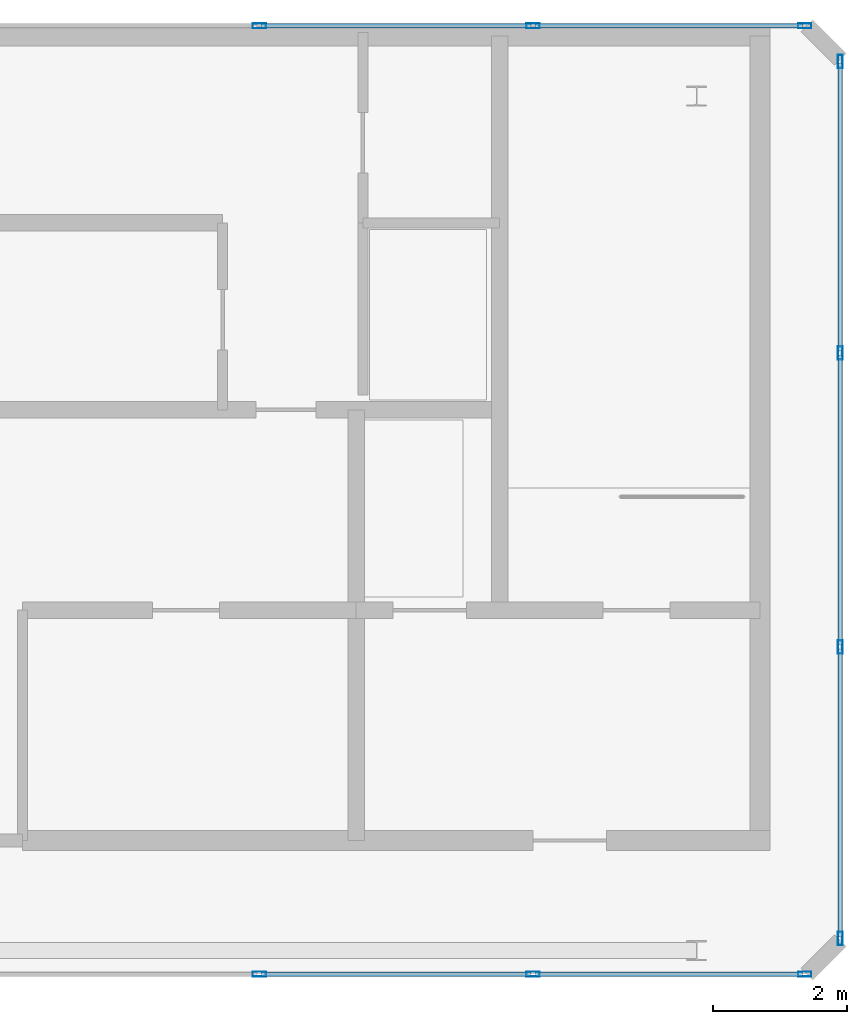
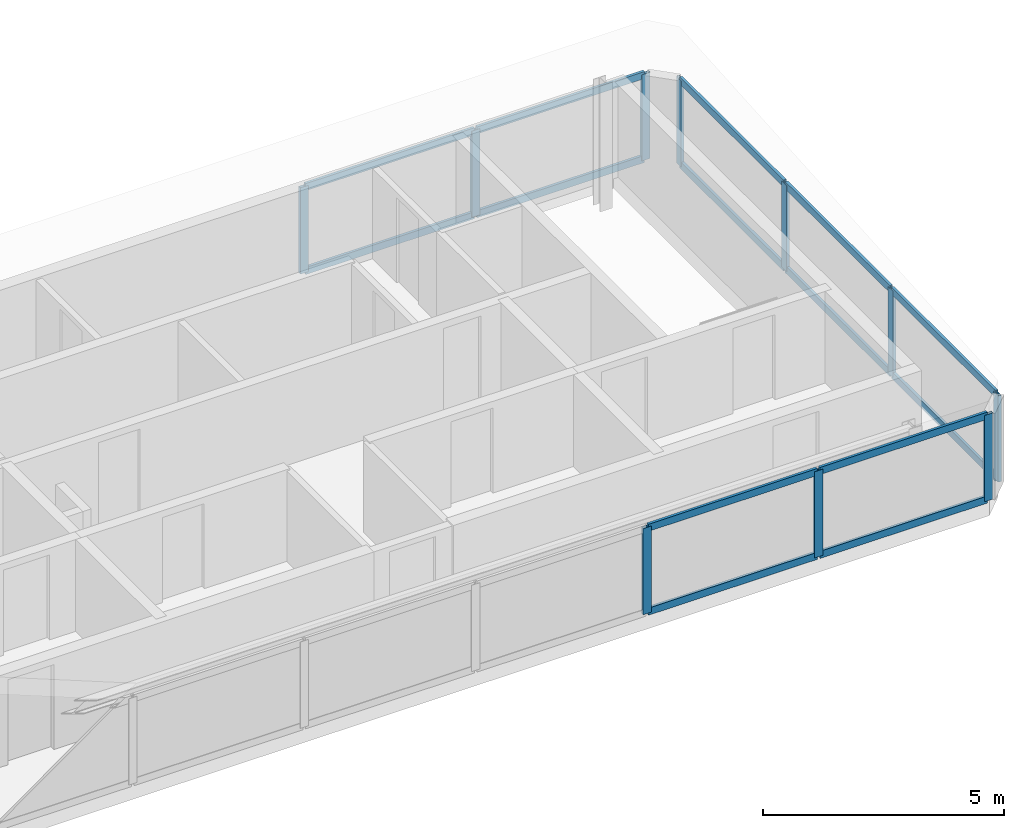
# One storey, part 6 of 9: 24 members, 3 elements without a shape of their own.
"""IFC4 building model written with IfcOpenShell, lengths in metres."""

from ifc_helpers import new_model, si_unit, direction, frame, origin, origin_2d, place, context, subcontext, project, spatial, hollow_rectangle, extrude, material, layer, layer_set, material_profile, profile_set, type_object, element, aggregate, save


model = new_model("IFC4")

# Units and contexts
model_context = context("Model", 3, precision=1e-05, world=origin(), true_north=direction((0.0, 1.0)))
body_context = subcontext(model_context, "Body", "Model", "MODEL_VIEW")
ifc_project = project(units=[si_unit("LENGTHUNIT", "METRE"), si_unit("AREAUNIT", "SQUARE_METRE"), si_unit("VOLUMEUNIT", "CUBIC_METRE"), si_unit("PLANEANGLEUNIT", "RADIAN"), si_unit("MASSUNIT", "GRAM", prefix="KILO")], contexts=[model_context])

# Site, building, storey
site_placement = place(None, origin())
site = spatial("IfcSite", under=ifc_project, at=site_placement, CompositionType="ELEMENT")
building_placement = place(site_placement, origin())
building = spatial("IfcBuilding", under=site, at=building_placement, Name="Catumbela Crestline Tower", CompositionType="ELEMENT")
storey_placement = place(building_placement, frame((0.0, 0.0, 318.5)))
storey = spatial("IfcBuildingStorey", under=building, at=storey_placement, Name="L82", CompositionType="ELEMENT", Elevation=318.5)

# Curtain wall, members
ifc_material = material(Name="Aluminium alloy AW-6060-T66", Category="aluminium")
ifc_layer = layer(ifc_material, 0.18, Name="Aluminium alloy AW-6060-T66")
ifc_layer_set = layer_set([ifc_layer], Name="Aluminium alloy AW-6060-T66")
curtain_wall_type = type_object("IfcCurtainWallType", Name="CWS-OBS", PredefinedType="USERDEFINED", material=ifc_layer_set)
curtain_wall_1_placement = place(storey_placement, origin())
curtain_wall_1 = element("IfcCurtainWall", 1, at=curtain_wall_1_placement, inside=storey, type_object=curtain_wall_type, Name="L82 Stick Curtain Wall CW-L82-E0S1", ObjectType="STICK", PredefinedType="USERDEFINED")
ifc_material_profile_1 = material_profile(ifc_material, hollow_rectangle(XDim=0.075, YDim=0.2, WallThickness=0.005, at=origin_2d()), Name="ALU 200x75x5")
ifc_profile_set_1 = profile_set([ifc_material_profile_1], Name="Aluminium alloy AW-6060-T66")
member_type_1 = type_object("IfcMemberType", Name="MUL-200X75", PredefinedType="MULLION", material=ifc_profile_set_1)
member_1_placement = place(storey_placement, frame((32.5, 28.8, 0.0), z_axis=(0.0, 0.0, 1.0), x_axis=(0.0, 1.0, 0.0)))
member_1 = element("IfcMember", 2, at=member_1_placement, type_object=member_type_1, Name="CWS-OBS mullion 5", PredefinedType="MULLION", context=body_context, shape_type="SweptSolid", body=[
    extrude(hollow_rectangle(XDim=0.075, YDim=0.2, WallThickness=0.005, at=origin_2d()), origin(), (0.0, 0.0, 1.0), 2.18),
])
member_2_placement = place(storey_placement, frame((36.6, 28.8, 0.0), z_axis=(0.0, 0.0, 1.0), x_axis=(0.0, 1.0, 0.0)))
member_2 = element("IfcMember", 3, at=member_2_placement, type_object=member_type_1, Name="CWS-OBS mullion 6", PredefinedType="MULLION", context=body_context, shape_type="SweptSolid", body=[
    extrude(hollow_rectangle(XDim=0.075, YDim=0.2, WallThickness=0.005, at=origin_2d()), origin(), (0.0, 0.0, 1.0), 2.18),
])
member_3_placement = place(storey_placement, frame((40.6675, 28.8, 0.0), z_axis=(0.0, 0.0, 1.0), x_axis=(0.0, 1.0, 0.0)))
member_3 = element("IfcMember", 4, at=member_3_placement, type_object=member_type_1, Name="CWS-OBS mullion 7", PredefinedType="MULLION", context=body_context, shape_type="SweptSolid", body=[
    extrude(hollow_rectangle(XDim=0.075, YDim=0.2, WallThickness=0.005, at=origin_2d()), origin(), (0.0, 0.0, 1.0), 2.18),
])

curtain_wall_2_placement = place(storey_placement, origin())
curtain_wall_2 = element("IfcCurtainWall", 5, at=curtain_wall_2_placement, inside=storey, type_object=curtain_wall_type, Name="L82 Stick Curtain Wall CW-L82-E2S1", ObjectType="STICK", PredefinedType="USERDEFINED")
member_4_placement = place(storey_placement, frame((41.2, 29.3325, 0.0), z_axis=(0.0, 0.0, 1.0), x_axis=(-1.0, 0.0, 0.0)))
member_4 = element("IfcMember", 6, at=member_4_placement, type_object=member_type_1, Name="CWS-OBS mullion 1", PredefinedType="MULLION", context=body_context, shape_type="SweptSolid", body=[
    extrude(hollow_rectangle(XDim=0.075, YDim=0.2, WallThickness=0.005, at=origin_2d()), origin(), (0.0, 0.0, 1.0), 2.18),
])
member_5_placement = place(storey_placement, frame((41.2, 33.7, 0.0), z_axis=(0.0, 0.0, 1.0), x_axis=(-1.0, 0.0, 0.0)))
member_5 = element("IfcMember", 7, at=member_5_placement, type_object=member_type_1, Name="CWS-OBS mullion 2", PredefinedType="MULLION", context=body_context, shape_type="SweptSolid", body=[
    extrude(hollow_rectangle(XDim=0.075, YDim=0.2, WallThickness=0.005, at=origin_2d()), origin(), (0.0, 0.0, 1.0), 2.18),
])
member_6_placement = place(storey_placement, frame((41.2, 38.1, 0.0), z_axis=(0.0, 0.0, 1.0), x_axis=(-1.0, 0.0, 0.0)))
member_6 = element("IfcMember", 8, at=member_6_placement, type_object=member_type_1, Name="CWS-OBS mullion 3", PredefinedType="MULLION", context=body_context, shape_type="SweptSolid", body=[
    extrude(hollow_rectangle(XDim=0.075, YDim=0.2, WallThickness=0.005, at=origin_2d()), origin(), (0.0, 0.0, 1.0), 2.18),
])
member_7_placement = place(storey_placement, frame((41.2, 42.4675, 0.0), z_axis=(0.0, 0.0, 1.0), x_axis=(-1.0, 0.0, 0.0)))
member_7 = element("IfcMember", 9, at=member_7_placement, type_object=member_type_1, Name="CWS-OBS mullion 4", PredefinedType="MULLION", context=body_context, shape_type="SweptSolid", body=[
    extrude(hollow_rectangle(XDim=0.075, YDim=0.2, WallThickness=0.005, at=origin_2d()), origin(), (0.0, 0.0, 1.0), 2.18),
])

curtain_wall_3_placement = place(storey_placement, origin())
curtain_wall_3 = element("IfcCurtainWall", 10, at=curtain_wall_3_placement, inside=storey, type_object=curtain_wall_type, Name="L82 Stick Curtain Wall CW-L82-E4S1", ObjectType="STICK", PredefinedType="USERDEFINED")
member_8_placement = place(storey_placement, frame((40.6675, 43.0, 0.0), z_axis=(0.0, 0.0, 1.0), x_axis=(0.0, -1.0, 0.0)))
member_8 = element("IfcMember", 11, at=member_8_placement, type_object=member_type_1, Name="CWS-OBS mullion 1", PredefinedType="MULLION", context=body_context, shape_type="SweptSolid", body=[
    extrude(hollow_rectangle(XDim=0.075, YDim=0.2, WallThickness=0.005, at=origin_2d()), origin(), (0.0, 0.0, 1.0), 2.18),
])
member_9_placement = place(storey_placement, frame((36.6, 43.0, 0.0), z_axis=(0.0, 0.0, 1.0), x_axis=(0.0, -1.0, 0.0)))
member_9 = element("IfcMember", 12, at=member_9_placement, type_object=member_type_1, Name="CWS-OBS mullion 2", PredefinedType="MULLION", context=body_context, shape_type="SweptSolid", body=[
    extrude(hollow_rectangle(XDim=0.075, YDim=0.2, WallThickness=0.005, at=origin_2d()), origin(), (0.0, 0.0, 1.0), 2.18),
])
member_10_placement = place(storey_placement, frame((32.5, 43.0, 0.0), z_axis=(0.0, 0.0, 1.0), x_axis=(0.0, -1.0, 0.0)))
member_10 = element("IfcMember", 13, at=member_10_placement, type_object=member_type_1, Name="CWS-OBS mullion 3", PredefinedType="MULLION", context=body_context, shape_type="SweptSolid", body=[
    extrude(hollow_rectangle(XDim=0.075, YDim=0.2, WallThickness=0.005, at=origin_2d()), origin(), (0.0, 0.0, 1.0), 2.18),
])

# Member
ifc_material_profile_2 = material_profile(ifc_material, hollow_rectangle(XDim=0.065, YDim=0.18, WallThickness=0.004, at=origin_2d()), Name="ALU 180x65x4")
ifc_profile_set_2 = profile_set([ifc_material_profile_2], Name="Aluminium alloy AW-6060-T66")
member_type_2 = type_object("IfcMemberType", Name="TRN-180X65", PredefinedType="USERDEFINED", material=ifc_profile_set_2)
member_11_placement = place(storey_placement, frame((32.5325, 28.8, 0.03), z_axis=(1.0, 0.0, 0.0), x_axis=(0.0, 1.0, 0.0)))
member_11 = element("IfcMember", 14, at=member_11_placement, type_object=member_type_2, Name="CWS-OBS transom 5.1", ObjectType="TRANSOM", PredefinedType="USERDEFINED", context=body_context, shape_type="SweptSolid", body=[
    extrude(hollow_rectangle(XDim=0.065, YDim=0.18, WallThickness=0.004, at=origin_2d()), origin(), (0.0, 0.0, 1.0), 4.035),
])

member_12_placement = place(storey_placement, frame((32.5325, 28.8, 2.15), z_axis=(1.0, 0.0, 0.0), x_axis=(0.0, 1.0, 0.0)))
member_12 = element("IfcMember", 15, at=member_12_placement, type_object=member_type_2, Name="CWS-OBS transom 5.2", ObjectType="TRANSOM", PredefinedType="USERDEFINED", context=body_context, shape_type="SweptSolid", body=[
    extrude(hollow_rectangle(XDim=0.065, YDim=0.18, WallThickness=0.004, at=origin_2d()), origin(), (0.0, 0.0, 1.0), 4.035),
])

member_13_placement = place(storey_placement, frame((36.6325, 28.8, 0.03), z_axis=(1.0, 0.0, 0.0), x_axis=(0.0, 1.0, 0.0)))
member_13 = element("IfcMember", 16, at=member_13_placement, type_object=member_type_2, Name="CWS-OBS transom 6.1", ObjectType="TRANSOM", PredefinedType="USERDEFINED", context=body_context, shape_type="SweptSolid", body=[
    extrude(hollow_rectangle(XDim=0.065, YDim=0.18, WallThickness=0.004, at=origin_2d()), origin(), (0.0, 0.0, 1.0), 4.0025),
])

member_14_placement = place(storey_placement, frame((36.6325, 28.8, 2.15), z_axis=(1.0, 0.0, 0.0), x_axis=(0.0, 1.0, 0.0)))
member_14 = element("IfcMember", 17, at=member_14_placement, type_object=member_type_2, Name="CWS-OBS transom 6.2", ObjectType="TRANSOM", PredefinedType="USERDEFINED", context=body_context, shape_type="SweptSolid", body=[
    extrude(hollow_rectangle(XDim=0.065, YDim=0.18, WallThickness=0.004, at=origin_2d()), origin(), (0.0, 0.0, 1.0), 4.0025),
])

aggregate(curtain_wall_1, [member_1, member_2, member_3, member_11, member_12, member_13, member_14])

member_15_placement = place(storey_placement, frame((41.2, 29.365, 0.03), z_axis=(0.0, 1.0, 0.0), x_axis=(-1.0, 0.0, 0.0)))
member_15 = element("IfcMember", 18, at=member_15_placement, type_object=member_type_2, Name="CWS-OBS transom 1.1", ObjectType="TRANSOM", PredefinedType="USERDEFINED", context=body_context, shape_type="SweptSolid", body=[
    extrude(hollow_rectangle(XDim=0.065, YDim=0.18, WallThickness=0.004, at=origin_2d()), origin(), (0.0, 0.0, 1.0), 4.3025),
])

member_16_placement = place(storey_placement, frame((41.2, 29.365, 2.15), z_axis=(0.0, 1.0, 0.0), x_axis=(-1.0, 0.0, 0.0)))
member_16 = element("IfcMember", 19, at=member_16_placement, type_object=member_type_2, Name="CWS-OBS transom 1.2", ObjectType="TRANSOM", PredefinedType="USERDEFINED", context=body_context, shape_type="SweptSolid", body=[
    extrude(hollow_rectangle(XDim=0.065, YDim=0.18, WallThickness=0.004, at=origin_2d()), origin(), (0.0, 0.0, 1.0), 4.3025),
])

member_17_placement = place(storey_placement, frame((41.2, 33.7325, 0.03), z_axis=(0.0, 1.0, 0.0), x_axis=(-1.0, 0.0, 0.0)))
member_17 = element("IfcMember", 20, at=member_17_placement, type_object=member_type_2, Name="CWS-OBS transom 2.1", ObjectType="TRANSOM", PredefinedType="USERDEFINED", context=body_context, shape_type="SweptSolid", body=[
    extrude(hollow_rectangle(XDim=0.065, YDim=0.18, WallThickness=0.004, at=origin_2d()), origin(), (0.0, 0.0, 1.0), 4.335),
])

member_18_placement = place(storey_placement, frame((41.2, 33.7325, 2.15), z_axis=(0.0, 1.0, 0.0), x_axis=(-1.0, 0.0, 0.0)))
member_18 = element("IfcMember", 21, at=member_18_placement, type_object=member_type_2, Name="CWS-OBS transom 2.2", ObjectType="TRANSOM", PredefinedType="USERDEFINED", context=body_context, shape_type="SweptSolid", body=[
    extrude(hollow_rectangle(XDim=0.065, YDim=0.18, WallThickness=0.004, at=origin_2d()), origin(), (0.0, 0.0, 1.0), 4.335),
])

member_19_placement = place(storey_placement, frame((41.2, 38.1325, 0.03), z_axis=(0.0, 1.0, 0.0), x_axis=(-1.0, 0.0, 0.0)))
member_19 = element("IfcMember", 22, at=member_19_placement, type_object=member_type_2, Name="CWS-OBS transom 3.1", ObjectType="TRANSOM", PredefinedType="USERDEFINED", context=body_context, shape_type="SweptSolid", body=[
    extrude(hollow_rectangle(XDim=0.065, YDim=0.18, WallThickness=0.004, at=origin_2d()), origin(), (0.0, 0.0, 1.0), 4.3025),
])

member_20_placement = place(storey_placement, frame((41.2, 38.1325, 2.15), z_axis=(0.0, 1.0, 0.0), x_axis=(-1.0, 0.0, 0.0)))
member_20 = element("IfcMember", 23, at=member_20_placement, type_object=member_type_2, Name="CWS-OBS transom 3.2", ObjectType="TRANSOM", PredefinedType="USERDEFINED", context=body_context, shape_type="SweptSolid", body=[
    extrude(hollow_rectangle(XDim=0.065, YDim=0.18, WallThickness=0.004, at=origin_2d()), origin(), (0.0, 0.0, 1.0), 4.3025),
])

aggregate(curtain_wall_2, [member_4, member_5, member_6, member_7, member_15, member_16, member_17, member_18, member_19, member_20])

member_21_placement = place(storey_placement, frame((40.635, 43.0, 0.03), z_axis=(-1.0, 0.0, 0.0), x_axis=(0.0, -1.0, 0.0)))
member_21 = element("IfcMember", 24, at=member_21_placement, type_object=member_type_2, Name="CWS-OBS transom 1.1", ObjectType="TRANSOM", PredefinedType="USERDEFINED", context=body_context, shape_type="SweptSolid", body=[
    extrude(hollow_rectangle(XDim=0.065, YDim=0.18, WallThickness=0.004, at=origin_2d()), origin(), (0.0, 0.0, 1.0), 4.0025),
])

member_22_placement = place(storey_placement, frame((40.635, 43.0, 2.15), z_axis=(-1.0, 0.0, 0.0), x_axis=(0.0, -1.0, 0.0)))
member_22 = element("IfcMember", 25, at=member_22_placement, type_object=member_type_2, Name="CWS-OBS transom 1.2", ObjectType="TRANSOM", PredefinedType="USERDEFINED", context=body_context, shape_type="SweptSolid", body=[
    extrude(hollow_rectangle(XDim=0.065, YDim=0.18, WallThickness=0.004, at=origin_2d()), origin(), (0.0, 0.0, 1.0), 4.0025),
])

member_23_placement = place(storey_placement, frame((36.5675, 43.0, 0.03), z_axis=(-1.0, 0.0, 0.0), x_axis=(0.0, -1.0, 0.0)))
member_23 = element("IfcMember", 26, at=member_23_placement, type_object=member_type_2, Name="CWS-OBS transom 2.1", ObjectType="TRANSOM", PredefinedType="USERDEFINED", context=body_context, shape_type="SweptSolid", body=[
    extrude(hollow_rectangle(XDim=0.065, YDim=0.18, WallThickness=0.004, at=origin_2d()), origin(), (0.0, 0.0, 1.0), 4.035),
])

member_24_placement = place(storey_placement, frame((36.5675, 43.0, 2.15), z_axis=(-1.0, 0.0, 0.0), x_axis=(0.0, -1.0, 0.0)))
member_24 = element("IfcMember", 27, at=member_24_placement, type_object=member_type_2, Name="CWS-OBS transom 2.2", ObjectType="TRANSOM", PredefinedType="USERDEFINED", context=body_context, shape_type="SweptSolid", body=[
    extrude(hollow_rectangle(XDim=0.065, YDim=0.18, WallThickness=0.004, at=origin_2d()), origin(), (0.0, 0.0, 1.0), 4.035),
])

aggregate(curtain_wall_3, [member_8, member_9, member_10, member_21, member_22, member_23, member_24])

save(model, "model.ifc")
